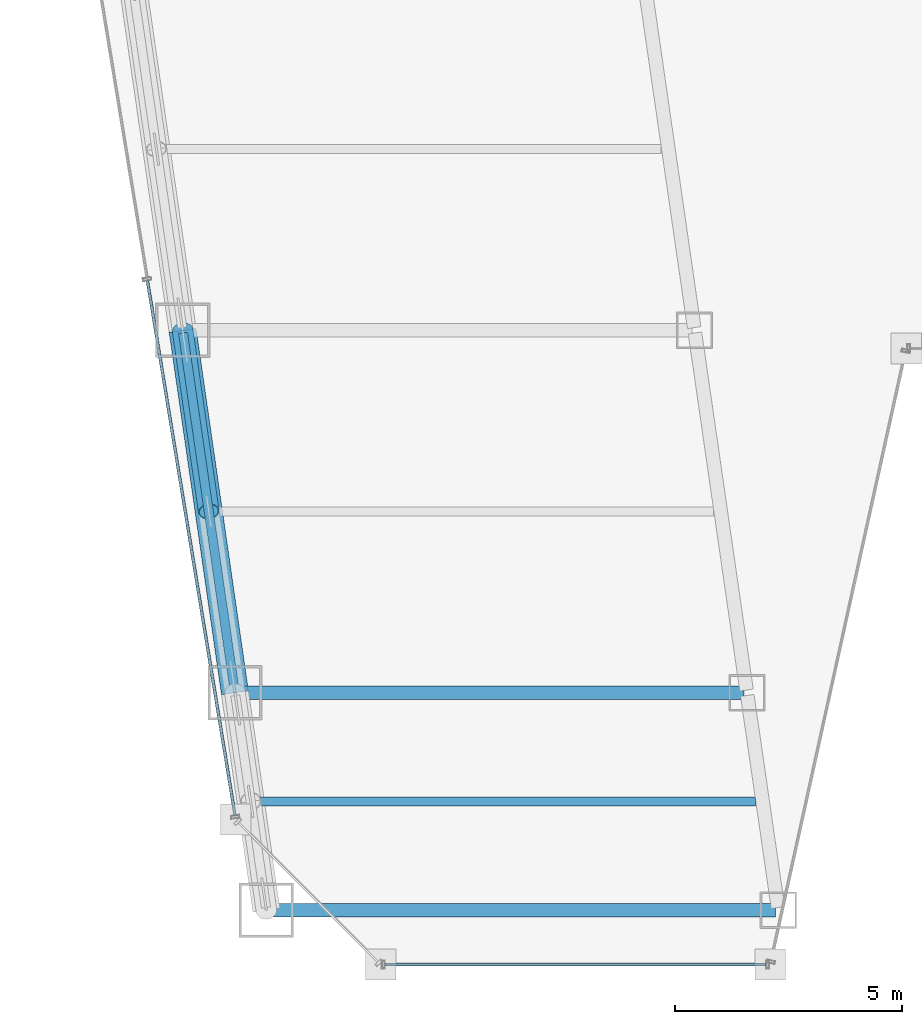
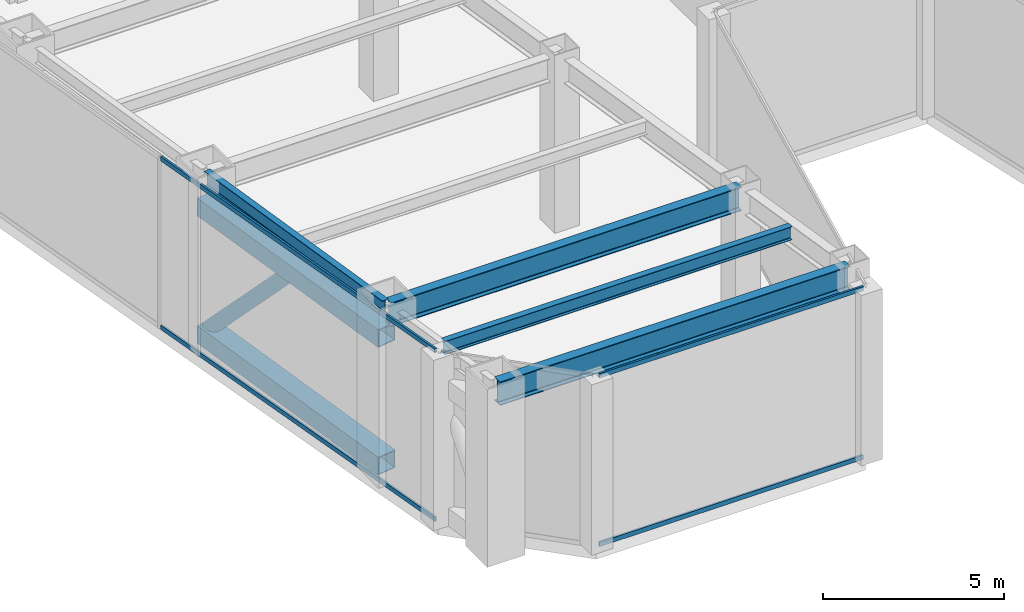
# One storey, part 5 of 35: 7 members, 4 beams, 2 elements without a shape of their own.
"""IFC4 building model written with IfcOpenShell, lengths in metres."""

from ifc_helpers import new_model, si_unit, direction, frame, origin, origin_2d, place, context, subcontext, project, spatial, hollow_rectangle, hollow_circle, i_section, extrude, material, material_profile, profile_set, type_object, element, aggregate, save


model = new_model("IFC4")

# Units and contexts
model_context = context("Model", 3, precision=1e-05, world=origin(), true_north=direction((0.0, 1.0)))
body_context = subcontext(model_context, "Body", "Model", "MODEL_VIEW")
ifc_project = project(units=[si_unit("LENGTHUNIT", "METRE"), si_unit("AREAUNIT", "SQUARE_METRE"), si_unit("VOLUMEUNIT", "CUBIC_METRE"), si_unit("PLANEANGLEUNIT", "RADIAN"), si_unit("MASSUNIT", "GRAM", prefix="KILO")], contexts=[model_context])

# Site, building, storey
site_placement = place(None, origin())
site = spatial("IfcSite", under=ifc_project, at=site_placement, CompositionType="ELEMENT")
building_placement = place(site_placement, origin())
building = spatial("IfcBuilding", under=site, at=building_placement, Name="Saevonmaru Cultural Tower", CompositionType="ELEMENT")
storey_placement = place(building_placement, frame((0.0, 0.0, 86.800048828125)))
storey = spatial("IfcBuildingStorey", under=building, at=storey_placement, Name="L18", CompositionType="ELEMENT", Elevation=86.800048828125)

# Beams
ifc_material_1 = material(Name="Steel SM420", Category="steel")
ifc_material_profile_1 = material_profile(ifc_material_1, i_section(OverallWidth=0.300048828125, OverallDepth=0.800048828125, WebThickness=0.013916015625, FlangeThickness=0.02587890625, FilletRadius=0.028076171875, at=origin_2d()), Name="H-800x300x14x26")
ifc_profile_set_1 = profile_set([ifc_material_profile_1], Name="Steel SM420")
beam_type_1 = type_object("IfcBeamType", Name="BM-G-H800", PredefinedType="BEAM", material=ifc_profile_set_1)
for number, where, z_axis, x_axis, name in (
    (1, (12.537109375, 3.199951171875, 5.349853515625), (1.0, 0.0, 0.0), (0.0, 1.0, 0.0), "L18 West Wing Transverse Girder 1"),
    (2, (11.843017578125, 8.0, 5.349853515625), (1.0, 0.0, 0.0), (0.0, 1.0, 0.0), "L18 West Wing Transverse Girder 2"),
):
    element("IfcBeam", number, at=place(storey_placement, frame(where, z_axis=z_axis, x_axis=x_axis)), inside=storey, type_object=beam_type_1, Name=name, PredefinedType="BEAM", context=body_context, shape_type="SweptSolid", body=[
        extrude(i_section(OverallWidth=0.300048828125, OverallDepth=0.800048828125, WebThickness=0.013916015625, FlangeThickness=0.02587890625, FilletRadius=0.028076171875, at=origin_2d()), origin(), (0.0, 0.0, 1.0), 11.179931640625),
    ])
ifc_material_2 = material(Name="Steel SM355", Category="steel")
ifc_material_profile_2 = material_profile(ifc_material_2, i_section(OverallWidth=0.199951171875, OverallDepth=0.449951171875, WebThickness=0.009033203125, FlangeThickness=0.013916015625, FilletRadius=0.01806640625, at=origin_2d()), Name="H-450x200x9x14")
ifc_profile_set_2 = profile_set([ifc_material_profile_2], Name="Steel SM355")
beam_type_2 = type_object("IfcBeamType", Name="BM-J-H450", PredefinedType="JOIST", material=ifc_profile_set_2)
beam_1_placement = place(storey_placement, frame((12.18994140625, 5.60009765625, 5.52490234375), z_axis=(1.0, 0.0, 0.0), x_axis=(0.0, 1.0, 0.0)))
element("IfcBeam", 3, at=beam_1_placement, inside=storey, type_object=beam_type_2, Name="L18 West Wing Floor Joist 1", PredefinedType="JOIST", context=body_context, shape_type="SweptSolid", body=[
    extrude(i_section(OverallWidth=0.199951171875, OverallDepth=0.449951171875, WebThickness=0.009033203125, FlangeThickness=0.013916015625, FilletRadius=0.01806640625, at=origin_2d()), origin(), (0.0, 0.0, 1.0), 11.08203125),
])
ifc_material_profile_3 = material_profile(ifc_material_2, i_section(OverallWidth=0.199951171875, OverallDepth=0.5, WebThickness=0.010009765625, FlangeThickness=0.01611328125, FilletRadius=0.02001953125, at=origin_2d()), Name="H-500x200x10x16")
ifc_profile_set_3 = profile_set([ifc_material_profile_3], Name="Steel SM355")
beam_type_3 = type_object("IfcBeamType", Name="BM-SP-H500", PredefinedType="SPANDREL", material=ifc_profile_set_3)
beam_2_placement = place(storey_placement, frame((11.7744140625, 8.059326171875, 5.5), z_axis=(-0.142871999001, 0.989741174197, 0.0), x_axis=(-0.989741174197, -0.142871999001, 0.0)))
element("IfcBeam", 4, at=beam_2_placement, inside=storey, type_object=beam_type_3, Name="L18 West Splayed Spandrel 2", PredefinedType="SPANDREL", context=body_context, shape_type="SweptSolid", body=[
    extrude(i_section(OverallWidth=0.199951171875, OverallDepth=0.5, WebThickness=0.010009765625, FlangeThickness=0.01611328125, FilletRadius=0.02001953125, at=origin_2d()), origin(), (0.0, 0.0, 1.0), 7.963134765625),
])

# Members
ifc_material_profile_4 = material_profile(ifc_material_1, hollow_circle(Radius=0.228515625, WallThickness=0.02001953125, at=origin_2d()), Name="CHS-457.2x20")
ifc_profile_set_4 = profile_set([ifc_material_profile_4], Name="Steel SM420")
member_type_1 = type_object("IfcMemberType", Name="MB-BBR-CHS457", PredefinedType="BRACE", material=ifc_profile_set_4)
member_1_placement = place(storey_placement, frame((10.6279296875, 16.0, 0.300048828125), z_axis=(0.097969630896, -0.677843932686, 0.728649129789), x_axis=(0.989716197255, 0.143044919135, 0.0)))
element("IfcMember", 5, at=member_1_placement, inside=storey, type_object=member_type_1, Name="L18 Belt Truss Diagonal BW2-2", PredefinedType="BRACE", context=body_context, shape_type="SweptSolid", body=[
    extrude(hollow_circle(Radius=0.228515625, WallThickness=0.02001953125, at=origin_2d()), origin(), (0.0, 0.0, 1.0), 5.901123046875),
])
ifc_material_profile_5 = material_profile(ifc_material_1, hollow_rectangle(XDim=0.60009765625, YDim=0.60009765625, WallThickness=0.028076171875, at=origin_2d()), Name="BOX-600x600x28")
ifc_profile_set_5 = profile_set([ifc_material_profile_5], Name="Steel SM420")
member_type_2 = type_object("IfcMemberType", Name="MB-BCH-BOX600", PredefinedType="CHORD", material=ifc_profile_set_5)
for number, where, z_axis, x_axis, name in (
    (6, (11.782958984375, 8.0, 0.300048828125), (-0.142896985758, 0.989737566965, 0.0), (-0.989737566965, -0.142896985758, 0.0), "L18 Belt Truss Bottom Chord BW2"),
    (7, (11.782958984375, 8.0, 4.599853515625), (-0.142896985758, 0.989737566965, 0.0), (-0.989737566965, -0.142896985758, 0.0), "L18 Belt Truss Top Chord BW2"),
):
    element("IfcMember", number, at=place(storey_placement, frame(where, z_axis=z_axis, x_axis=x_axis)), inside=storey, type_object=member_type_2, Name=name, PredefinedType="CHORD", context=body_context, shape_type="SweptSolid", body=[
        extrude(hollow_rectangle(XDim=0.60009765625, YDim=0.60009765625, WallThickness=0.028076171875, at=origin_2d()), origin(), (0.0, 0.0, 1.0), 8.0830078125),
    ])

# Curtain wall, members
ifc_material_3 = material(Name="Satin Bronze Anodised Aluminium", Category="aluminium")
curtain_wall_type = type_object("IfcCurtainWallType", Name="CW-TYP-A", PredefinedType="NOTDEFINED", material=ifc_material_3)
curtain_wall_1_placement = place(storey_placement, origin())
curtain_wall_1 = element("IfcCurtainWall", 8, at=curtain_wall_1_placement, inside=storey, type_object=curtain_wall_type, Name="L18 Wind-Floor Acoustic Louvre Screen E2", PredefinedType="NOTDEFINED")
ifc_material_profile_6 = material_profile(ifc_material_3, hollow_rectangle(XDim=0.06494140625, YDim=0.14990234375, WallThickness=0.00390625, at=origin_2d()), Name="ALU-TRAN-150x65x4")
ifc_profile_set_6 = profile_set([ifc_material_profile_6], Name="Satin Bronze Anodised Aluminium")
member_type_3 = type_object("IfcMemberType", Name="TR-CW-150x65", PredefinedType="USERDEFINED", material=ifc_profile_set_6)
member_2_placement = place(storey_placement, frame((15.092529296875, 2.0, 0.032470703125), z_axis=(1.0, 0.0, 0.0), x_axis=(0.0, 1.0, 0.0)))
member_2 = element("IfcMember", 9, at=member_2_placement, type_object=member_type_3, Name="CW-TW-L18-E2 transom 1.1", ObjectType="TRANSOM", PredefinedType="USERDEFINED", context=body_context, shape_type="SweptSolid", body=[
    extrude(hollow_rectangle(XDim=0.06494140625, YDim=0.14990234375, WallThickness=0.00390625, at=origin_2d()), origin(), (0.0, 0.0, 1.0), 8.4150390625),
])
member_3_placement = place(storey_placement, frame((15.092529296875, 2.0, 5.717529296875), z_axis=(1.0, 0.0, 0.0), x_axis=(0.0, 1.0, 0.0)))
member_3 = element("IfcMember", 10, at=member_3_placement, type_object=member_type_3, Name="CW-TW-L18-E2 transom 1.2", ObjectType="TRANSOM", PredefinedType="USERDEFINED", context=body_context, shape_type="SweptSolid", body=[
    extrude(hollow_rectangle(XDim=0.06494140625, YDim=0.14990234375, WallThickness=0.00390625, at=origin_2d()), origin(), (0.0, 0.0, 1.0), 8.4150390625),
])
aggregate(curtain_wall_1, [member_2, member_3])

curtain_wall_2_placement = place(storey_placement, origin())
curtain_wall_2 = element("IfcCurtainWall", 11, at=curtain_wall_2_placement, inside=storey, type_object=curtain_wall_type, Name="L18 Wind-Floor Acoustic Louvre Screen E12", PredefinedType="NOTDEFINED")
member_4_placement = place(storey_placement, frame((9.850341796875, 17.097412109375, 0.032470703125), z_axis=(0.161724530373, -0.986835941925, 0.0), x_axis=(0.986835941925, 0.161724530373, 0.0)))
member_4 = element("IfcMember", 12, at=member_4_placement, type_object=member_type_3, Name="CW-TW-L18-E12 transom 4.1", ObjectType="TRANSOM", PredefinedType="USERDEFINED", context=body_context, shape_type="SweptSolid", body=[
    extrude(hollow_rectangle(XDim=0.06494140625, YDim=0.14990234375, WallThickness=0.00390625, at=origin_2d()), origin(), (0.0, 0.0, 1.0), 11.963623046875),
])
member_5_placement = place(storey_placement, frame((9.850341796875, 17.097412109375, 5.717529296875), z_axis=(0.161724530373, -0.986835941925, 0.0), x_axis=(0.986835941925, 0.161724530373, 0.0)))
member_5 = element("IfcMember", 13, at=member_5_placement, type_object=member_type_3, Name="CW-TW-L18-E12 transom 4.2", ObjectType="TRANSOM", PredefinedType="USERDEFINED", context=body_context, shape_type="SweptSolid", body=[
    extrude(hollow_rectangle(XDim=0.06494140625, YDim=0.14990234375, WallThickness=0.00390625, at=origin_2d()), origin(), (0.0, 0.0, 1.0), 11.963623046875),
])
aggregate(curtain_wall_2, [member_4, member_5])

save(model, "model.ifc")
